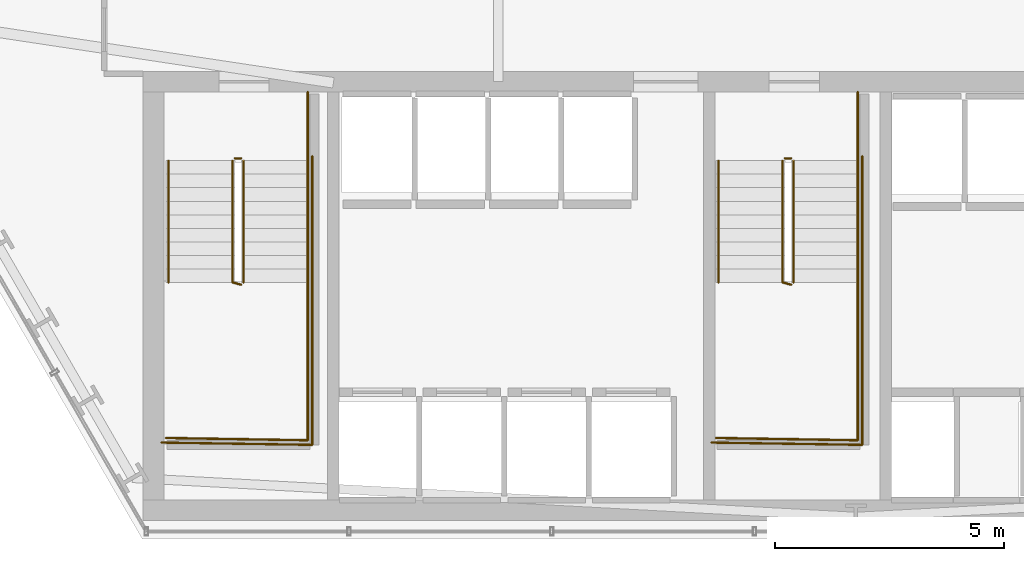
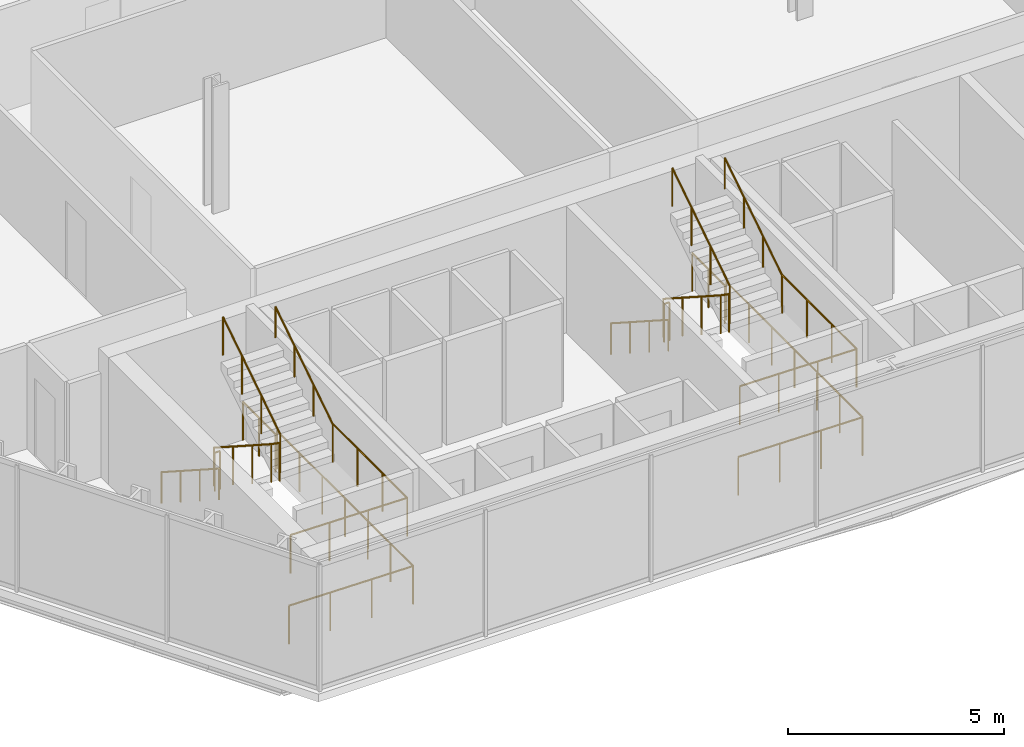
# One storey, part 30 of 32: 16 railings.
"""IFC4 building model written with IfcOpenShell, lengths in metres."""

from ifc_helpers import new_model, si_unit, direction, frame, origin, origin_2d, place, context, subcontext, project, spatial, circle, extrude, material, layer, layer_set, type_object, element, save


model = new_model("IFC4")

# Units and contexts
model_context = context("Model", 3, precision=1e-05, world=origin(), true_north=direction((0.0, 1.0)))
body_context = subcontext(model_context, "Body", "Model", "MODEL_VIEW")
ifc_project = project(units=[si_unit("LENGTHUNIT", "METRE"), si_unit("AREAUNIT", "SQUARE_METRE"), si_unit("VOLUMEUNIT", "CUBIC_METRE"), si_unit("PLANEANGLEUNIT", "RADIAN"), si_unit("MASSUNIT", "GRAM", prefix="KILO")], contexts=[model_context])

# Site, building, storey
site_placement = place(None, origin())
site = spatial("IfcSite", under=ifc_project, at=site_placement, CompositionType="ELEMENT")
building_placement = place(site_placement, origin())
building = spatial("IfcBuilding", under=site, at=building_placement, Name="Ndaravel Arena Tower", CompositionType="ELEMENT")
storey_placement = place(building_placement, frame((0.0, 0.0, 47.39990234375)))
storey = spatial("IfcBuildingStorey", under=building, at=storey_placement, Name="L09", CompositionType="ELEMENT", Elevation=47.39990234375)

# Railings
ifc_material_1 = material(Name="Steel S355", Category="steel")
ifc_layer_1 = layer(ifc_material_1, 0.06005859375)
ifc_layer_set_1 = layer_set([ifc_layer_1], Name="Steel S355")
railing_type_1 = type_object("IfcRailingType", Name="RAIL-STAIR-GD1100", PredefinedType="GUARDRAIL", material=ifc_layer_set_1)
railing_1_placement = place(storey_placement, frame((28.39990234375, 13.25, 0.190185546875)))
element("IfcRailing", 1, at=railing_1_placement, inside=storey, type_object=railing_type_1, Name="L09 ST-1 stair guard 1", PredefinedType="GUARDRAIL", context=body_context, shape_type="SweptSolid", body=[
    extrude(circle(Radius=0.02392578125, at=origin_2d()), frame((0.0, 0.0, 1.076171875), z_axis=(0.0, -0.840723540582, 0.54146461409), x_axis=(1.0, 0.0, 0.0)), (0.0, 0.0, 1.0), 3.157958984375),
    extrude(circle(Radius=0.02392578125, at=origin_2d()), frame((0.0, -2.655029296875, 2.7861328125), z_axis=(0.967074537263, -0.25449329928, 0.0), x_axis=(0.25449329928, 0.967074537263, 0.0)), (0.0, 0.0, 1.0), 0.19677734375),
    extrude(circle(Radius=0.02099609375, at=origin_2d()), origin(), (0.0, 0.0, 1.0), 1.052001953125),
    extrude(circle(Radius=0.02099609375, at=origin_2d()), frame((0.0, -0.885009765625, 0.570068359375)), (0.0, 0.0, 1.0), 1.052001953125),
    extrude(circle(Radius=0.02099609375, at=origin_2d()), frame((0.0, -1.77001953125, 1.139892578125)), (0.0, 0.0, 1.0), 1.052001953125),
    extrude(circle(Radius=0.02099609375, at=origin_2d()), frame((0.0, -2.655029296875, 1.7099609375)), (0.0, 0.0, 1.0), 1.052001953125),
    extrude(circle(Radius=0.02099609375, at=origin_2d()), frame((0.190185546875, -2.705078125, 1.7099609375)), (0.0, 0.0, 1.0), 1.052001953125),
])
railing_2_placement = place(storey_placement, frame((30.0400390625, 10.594970703125, 1.900146484375)))
element("IfcRailing", 2, at=railing_2_placement, inside=storey, type_object=railing_type_1, Name="L09 ST-1 stair guard 2", PredefinedType="GUARDRAIL", context=body_context, shape_type="SweptSolid", body=[
    extrude(circle(Radius=0.02392578125, at=origin_2d()), frame((0.0, 0.0, 1.076171875), z_axis=(0.0, -1.0, 0.0), x_axis=(1.0, 0.0, 0.0)), (0.0, 0.0, 1.0), 3.445068359375),
    extrude(circle(Radius=0.02392578125, at=origin_2d()), frame((0.0, -3.445068359375, 1.076171875), z_axis=(-0.999868861343, 0.016194447071, 0.0), x_axis=(-0.016194447071, -0.999868861343, 0.0)), (0.0, 0.0, 1.0), 3.090576171875),
    extrude(circle(Radius=0.02099609375, at=origin_2d()), origin(), (0.0, 0.0, 1.0), 1.052001953125),
    extrude(circle(Radius=0.02099609375, at=origin_2d()), frame((0.0, -1.1484375, 0.0)), (0.0, 0.0, 1.0), 1.052001953125),
    extrude(circle(Radius=0.02099609375, at=origin_2d()), frame((0.0, -2.296630859375, 0.0)), (0.0, 0.0, 1.0), 1.052001953125),
    extrude(circle(Radius=0.02099609375, at=origin_2d()), frame((0.0, -3.445068359375, 0.0)), (0.0, 0.0, 1.0), 1.052001953125),
    extrude(circle(Radius=0.02099609375, at=origin_2d()), frame((-1.030029296875, -3.428466796875, 0.0)), (0.0, 0.0, 1.0), 1.052001953125),
    extrude(circle(Radius=0.02099609375, at=origin_2d()), frame((-2.06005859375, -3.41162109375, 0.0)), (0.0, 0.0, 1.0), 1.052001953125),
    extrude(circle(Radius=0.02099609375, at=origin_2d()), frame((-3.090087890625, -3.39501953125, 0.0)), (0.0, 0.0, 1.0), 1.052001953125),
])
railing_3_placement = place(storey_placement, frame((28.639892578125, 10.594970703125, 2.090087890625)))
element("IfcRailing", 3, at=railing_3_placement, inside=storey, type_object=railing_type_1, Name="L09 ST-1 stair guard 3", PredefinedType="GUARDRAIL", context=body_context, shape_type="SweptSolid", body=[
    extrude(circle(Radius=0.02392578125, at=origin_2d()), frame((0.0, 0.0, 1.076171875), z_axis=(0.0, 0.840723540582, 0.54146461409), x_axis=(-1.0, 0.0, 0.0)), (0.0, 0.0, 1.0), 3.157958984375),
    extrude(circle(Radius=0.02099609375, at=origin_2d()), origin(), (0.0, 0.0, 1.0), 1.052001953125),
    extrude(circle(Radius=0.02099609375, at=origin_2d()), frame((0.0, 0.885009765625, 0.570068359375)), (0.0, 0.0, 1.0), 1.052001953125),
    extrude(circle(Radius=0.02099609375, at=origin_2d()), frame((0.0, 1.77001953125, 1.139892578125)), (0.0, 0.0, 1.0), 1.052001953125),
    extrude(circle(Radius=0.02099609375, at=origin_2d()), frame((0.0, 2.655029296875, 1.7099609375)), (0.0, 0.0, 1.0), 1.052001953125),
])
railing_4_placement = place(storey_placement, frame((28.449951171875, 13.300048828125, 0.0)))
element("IfcRailing", 4, at=railing_4_placement, inside=storey, type_object=railing_type_1, Name="L09 ST-1 stair guard 4", PredefinedType="GUARDRAIL", context=body_context, shape_type="SweptSolid", body=[
    extrude(circle(Radius=0.02392578125, at=origin_2d()), frame((0.0, 0.0, 1.076171875), z_axis=(1.0, 0.0, 0.0), x_axis=(0.0, 1.0, 0.0)), (0.0, 0.0, 1.0), 0.14013671875),
    extrude(circle(Radius=0.02099609375, at=origin_2d()), origin(), (0.0, 0.0, 1.0), 1.052001953125),
    extrude(circle(Radius=0.02099609375, at=origin_2d()), frame((0.14013671875, 0.0, 0.0)), (0.0, 0.0, 1.0), 1.052001953125),
])
railing_5_placement = place(storey_placement, frame((30.0400390625, 14.75, 0.0)))
element("IfcRailing", 5, at=railing_5_placement, inside=storey, type_object=railing_type_1, Name="L09 ST-1 stair guard 5", PredefinedType="GUARDRAIL", context=body_context, shape_type="SweptSolid", body=[
    extrude(circle(Radius=0.02392578125, at=origin_2d()), frame((0.0, 0.0, 1.076171875), z_axis=(0.0, -1.0, 0.0), x_axis=(1.0, 0.0, 0.0)), (0.0, 0.0, 1.0), 1.5),
    extrude(circle(Radius=0.02099609375, at=origin_2d()), origin(), (0.0, 0.0, 1.0), 1.052001953125),
    extrude(circle(Radius=0.02099609375, at=origin_2d()), frame((0.0, -0.75, 0.0)), (0.0, 0.0, 1.0), 1.052001953125),
    extrude(circle(Radius=0.02099609375, at=origin_2d()), frame((0.0, -1.5, 0.0)), (0.0, 0.0, 1.0), 1.052001953125),
])
railing_6_placement = place(storey_placement, frame((30.139892578125, 13.35009765625, 0.0)))
element("IfcRailing", 6, at=railing_6_placement, inside=storey, type_object=railing_type_1, Name="L09 ST-1 stair guard 6", PredefinedType="GUARDRAIL", context=body_context, shape_type="SweptSolid", body=[
    extrude(circle(Radius=0.02392578125, at=origin_2d()), frame((0.0, 0.0, 1.076171875), z_axis=(0.0, -1.0, 0.0), x_axis=(1.0, 0.0, 0.0)), (0.0, 0.0, 1.0), 6.300048828125),
    extrude(circle(Radius=0.02392578125, at=origin_2d()), frame((0.0, -6.300048828125, 1.076171875), z_axis=(-0.999884296952, 0.015211597839, 0.0), x_axis=(-0.015211597839, -0.999884296952, 0.0)), (0.0, 0.0, 1.0), 3.290283203125),
    extrude(circle(Radius=0.02099609375, at=origin_2d()), origin(), (0.0, 0.0, 1.0), 1.052001953125),
    extrude(circle(Radius=0.02099609375, at=origin_2d()), frame((0.0, -1.050048828125, 0.0)), (0.0, 0.0, 1.0), 1.052001953125),
    extrude(circle(Radius=0.02099609375, at=origin_2d()), frame((0.0, -2.10009765625, 0.0)), (0.0, 0.0, 1.0), 1.052001953125),
    extrude(circle(Radius=0.02099609375, at=origin_2d()), frame((0.0, -3.14990234375, 0.0)), (0.0, 0.0, 1.0), 1.052001953125),
    extrude(circle(Radius=0.02099609375, at=origin_2d()), frame((0.0, -4.199951171875, 0.0)), (0.0, 0.0, 1.0), 1.052001953125),
    extrude(circle(Radius=0.02099609375, at=origin_2d()), frame((0.0, -5.25, 0.0)), (0.0, 0.0, 1.0), 1.052001953125),
    extrude(circle(Radius=0.02099609375, at=origin_2d()), frame((0.0, -6.300048828125, 0.0)), (0.0, 0.0, 1.0), 1.052001953125),
    extrude(circle(Radius=0.02099609375, at=origin_2d()), frame((-1.0966796875, -6.283447265625, 0.0)), (0.0, 0.0, 1.0), 1.052001953125),
    extrude(circle(Radius=0.02099609375, at=origin_2d()), frame((-2.193115234375, -6.2666015625, 0.0)), (0.0, 0.0, 1.0), 1.052001953125),
    extrude(circle(Radius=0.02099609375, at=origin_2d()), frame((-3.289794921875, -6.25, 0.0)), (0.0, 0.0, 1.0), 1.052001953125),
])
railing_7_placement = place(storey_placement, frame((40.39990234375, 13.25, 0.190185546875)))
element("IfcRailing", 7, at=railing_7_placement, inside=storey, type_object=railing_type_1, Name="L09 ST-2 stair guard 1", PredefinedType="GUARDRAIL", context=body_context, shape_type="SweptSolid", body=[
    extrude(circle(Radius=0.02392578125, at=origin_2d()), frame((0.0, 0.0, 1.076171875), z_axis=(0.0, -0.840723540582, 0.54146461409), x_axis=(1.0, 0.0, 0.0)), (0.0, 0.0, 1.0), 3.157958984375),
    extrude(circle(Radius=0.02392578125, at=origin_2d()), frame((0.0, -2.655029296875, 2.7861328125), z_axis=(0.967074537263, -0.25449329928, 0.0), x_axis=(0.25449329928, 0.967074537263, 0.0)), (0.0, 0.0, 1.0), 0.19677734375),
    extrude(circle(Radius=0.02099609375, at=origin_2d()), origin(), (0.0, 0.0, 1.0), 1.052001953125),
    extrude(circle(Radius=0.02099609375, at=origin_2d()), frame((0.0, -0.885009765625, 0.570068359375)), (0.0, 0.0, 1.0), 1.052001953125),
    extrude(circle(Radius=0.02099609375, at=origin_2d()), frame((0.0, -1.77001953125, 1.139892578125)), (0.0, 0.0, 1.0), 1.052001953125),
    extrude(circle(Radius=0.02099609375, at=origin_2d()), frame((0.0, -2.655029296875, 1.7099609375)), (0.0, 0.0, 1.0), 1.052001953125),
    extrude(circle(Radius=0.02099609375, at=origin_2d()), frame((0.190185546875, -2.705078125, 1.7099609375)), (0.0, 0.0, 1.0), 1.052001953125),
])
railing_8_placement = place(storey_placement, frame((42.0400390625, 10.594970703125, 1.900146484375)))
element("IfcRailing", 8, at=railing_8_placement, inside=storey, type_object=railing_type_1, Name="L09 ST-2 stair guard 2", PredefinedType="GUARDRAIL", context=body_context, shape_type="SweptSolid", body=[
    extrude(circle(Radius=0.02392578125, at=origin_2d()), frame((0.0, 0.0, 1.076171875), z_axis=(0.0, -1.0, 0.0), x_axis=(1.0, 0.0, 0.0)), (0.0, 0.0, 1.0), 3.445068359375),
    extrude(circle(Radius=0.02392578125, at=origin_2d()), frame((0.0, -3.445068359375, 1.076171875), z_axis=(-0.999868861343, 0.016194447071, 0.0), x_axis=(-0.016194447071, -0.999868861343, 0.0)), (0.0, 0.0, 1.0), 3.090576171875),
    extrude(circle(Radius=0.02099609375, at=origin_2d()), origin(), (0.0, 0.0, 1.0), 1.052001953125),
    extrude(circle(Radius=0.02099609375, at=origin_2d()), frame((0.0, -1.1484375, 0.0)), (0.0, 0.0, 1.0), 1.052001953125),
    extrude(circle(Radius=0.02099609375, at=origin_2d()), frame((0.0, -2.296630859375, 0.0)), (0.0, 0.0, 1.0), 1.052001953125),
    extrude(circle(Radius=0.02099609375, at=origin_2d()), frame((0.0, -3.445068359375, 0.0)), (0.0, 0.0, 1.0), 1.052001953125),
    extrude(circle(Radius=0.02099609375, at=origin_2d()), frame((-1.030029296875, -3.428466796875, 0.0)), (0.0, 0.0, 1.0), 1.052001953125),
    extrude(circle(Radius=0.02099609375, at=origin_2d()), frame((-2.06005859375, -3.41162109375, 0.0)), (0.0, 0.0, 1.0), 1.052001953125),
    extrude(circle(Radius=0.02099609375, at=origin_2d()), frame((-3.090087890625, -3.39501953125, 0.0)), (0.0, 0.0, 1.0), 1.052001953125),
])
railing_9_placement = place(storey_placement, frame((40.639892578125, 10.594970703125, 2.090087890625)))
element("IfcRailing", 9, at=railing_9_placement, inside=storey, type_object=railing_type_1, Name="L09 ST-2 stair guard 3", PredefinedType="GUARDRAIL", context=body_context, shape_type="SweptSolid", body=[
    extrude(circle(Radius=0.02392578125, at=origin_2d()), frame((0.0, 0.0, 1.076171875), z_axis=(0.0, 0.840723540582, 0.54146461409), x_axis=(-1.0, 0.0, 0.0)), (0.0, 0.0, 1.0), 3.157958984375),
    extrude(circle(Radius=0.02099609375, at=origin_2d()), origin(), (0.0, 0.0, 1.0), 1.052001953125),
    extrude(circle(Radius=0.02099609375, at=origin_2d()), frame((0.0, 0.885009765625, 0.570068359375)), (0.0, 0.0, 1.0), 1.052001953125),
    extrude(circle(Radius=0.02099609375, at=origin_2d()), frame((0.0, 1.77001953125, 1.139892578125)), (0.0, 0.0, 1.0), 1.052001953125),
    extrude(circle(Radius=0.02099609375, at=origin_2d()), frame((0.0, 2.655029296875, 1.7099609375)), (0.0, 0.0, 1.0), 1.052001953125),
])
railing_10_placement = place(storey_placement, frame((40.449951171875, 13.300048828125, 0.0)))
element("IfcRailing", 10, at=railing_10_placement, inside=storey, type_object=railing_type_1, Name="L09 ST-2 stair guard 4", PredefinedType="GUARDRAIL", context=body_context, shape_type="SweptSolid", body=[
    extrude(circle(Radius=0.02392578125, at=origin_2d()), frame((0.0, 0.0, 1.076171875), z_axis=(1.0, 0.0, 0.0), x_axis=(0.0, 1.0, 0.0)), (0.0, 0.0, 1.0), 0.14013671875),
    extrude(circle(Radius=0.02099609375, at=origin_2d()), origin(), (0.0, 0.0, 1.0), 1.052001953125),
    extrude(circle(Radius=0.02099609375, at=origin_2d()), frame((0.14013671875, 0.0, 0.0)), (0.0, 0.0, 1.0), 1.052001953125),
])
railing_11_placement = place(storey_placement, frame((42.0400390625, 14.75, 0.0)))
element("IfcRailing", 11, at=railing_11_placement, inside=storey, type_object=railing_type_1, Name="L09 ST-2 stair guard 5", PredefinedType="GUARDRAIL", context=body_context, shape_type="SweptSolid", body=[
    extrude(circle(Radius=0.02392578125, at=origin_2d()), frame((0.0, 0.0, 1.076171875), z_axis=(0.0, -1.0, 0.0), x_axis=(1.0, 0.0, 0.0)), (0.0, 0.0, 1.0), 1.5),
    extrude(circle(Radius=0.02099609375, at=origin_2d()), origin(), (0.0, 0.0, 1.0), 1.052001953125),
    extrude(circle(Radius=0.02099609375, at=origin_2d()), frame((0.0, -0.75, 0.0)), (0.0, 0.0, 1.0), 1.052001953125),
    extrude(circle(Radius=0.02099609375, at=origin_2d()), frame((0.0, -1.5, 0.0)), (0.0, 0.0, 1.0), 1.052001953125),
])
railing_12_placement = place(storey_placement, frame((42.139892578125, 13.35009765625, 0.0)))
element("IfcRailing", 12, at=railing_12_placement, inside=storey, type_object=railing_type_1, Name="L09 ST-2 stair guard 6", PredefinedType="GUARDRAIL", context=body_context, shape_type="SweptSolid", body=[
    extrude(circle(Radius=0.02392578125, at=origin_2d()), frame((0.0, 0.0, 1.076171875), z_axis=(0.0, -1.0, 0.0), x_axis=(1.0, 0.0, 0.0)), (0.0, 0.0, 1.0), 6.300048828125),
    extrude(circle(Radius=0.02392578125, at=origin_2d()), frame((0.0, -6.300048828125, 1.076171875), z_axis=(-0.999884296952, 0.015211597839, 0.0), x_axis=(-0.015211597839, -0.999884296952, 0.0)), (0.0, 0.0, 1.0), 3.290283203125),
    extrude(circle(Radius=0.02099609375, at=origin_2d()), origin(), (0.0, 0.0, 1.0), 1.052001953125),
    extrude(circle(Radius=0.02099609375, at=origin_2d()), frame((0.0, -1.050048828125, 0.0)), (0.0, 0.0, 1.0), 1.052001953125),
    extrude(circle(Radius=0.02099609375, at=origin_2d()), frame((0.0, -2.10009765625, 0.0)), (0.0, 0.0, 1.0), 1.052001953125),
    extrude(circle(Radius=0.02099609375, at=origin_2d()), frame((0.0, -3.14990234375, 0.0)), (0.0, 0.0, 1.0), 1.052001953125),
    extrude(circle(Radius=0.02099609375, at=origin_2d()), frame((0.0, -4.199951171875, 0.0)), (0.0, 0.0, 1.0), 1.052001953125),
    extrude(circle(Radius=0.02099609375, at=origin_2d()), frame((0.0, -5.25, 0.0)), (0.0, 0.0, 1.0), 1.052001953125),
    extrude(circle(Radius=0.02099609375, at=origin_2d()), frame((0.0, -6.300048828125, 0.0)), (0.0, 0.0, 1.0), 1.052001953125),
    extrude(circle(Radius=0.02099609375, at=origin_2d()), frame((-1.0966796875, -6.283447265625, 0.0)), (0.0, 0.0, 1.0), 1.052001953125),
    extrude(circle(Radius=0.02099609375, at=origin_2d()), frame((-2.193115234375, -6.2666015625, 0.0)), (0.0, 0.0, 1.0), 1.052001953125),
    extrude(circle(Radius=0.02099609375, at=origin_2d()), frame((-3.289794921875, -6.25, 0.0)), (0.0, 0.0, 1.0), 1.052001953125),
])
ifc_material_2 = material(Name="Steel S355", Category="steel")
ifc_layer_2 = layer(ifc_material_2, 0.050048828125)
ifc_layer_set_2 = layer_set([ifc_layer_2], Name="Steel S355")
railing_type_2 = type_object("IfcRailingType", Name="RAIL-STAIR-HR920", PredefinedType="HANDRAIL", material=ifc_layer_set_2)
railing_13_placement = place(storey_placement, frame((27.0, 13.25, 0.190185546875)))
element("IfcRailing", 13, at=railing_13_placement, inside=storey, type_object=railing_type_2, Name="L09 ST-1 stair handrail 1", PredefinedType="HANDRAIL", context=body_context, shape_type="SweptSolid", body=[
    extrude(circle(Radius=0.02392578125, at=origin_2d()), frame((0.0, 0.0, 0.8759765625), z_axis=(0.0, -0.840723540582, 0.54146461409), x_axis=(1.0, 0.0, 0.0)), (0.0, 0.0, 1.0), 3.157958984375),
    extrude(circle(Radius=0.02099609375, at=origin_2d()), origin(), (0.0, 0.0, 1.0), 0.851806640625),
    extrude(circle(Radius=0.02099609375, at=origin_2d()), frame((0.0, -0.885009765625, 0.570068359375)), (0.0, 0.0, 1.0), 0.851806640625),
    extrude(circle(Radius=0.02099609375, at=origin_2d()), frame((0.0, -1.77001953125, 1.139892578125)), (0.0, 0.0, 1.0), 0.851806640625),
    extrude(circle(Radius=0.02099609375, at=origin_2d()), frame((0.0, -2.655029296875, 1.7099609375)), (0.0, 0.0, 1.0), 0.851806640625),
])
railing_14_placement = place(storey_placement, frame((30.0400390625, 10.594970703125, 2.090087890625)))
element("IfcRailing", 14, at=railing_14_placement, inside=storey, type_object=railing_type_2, Name="L09 ST-1 stair handrail 2", PredefinedType="HANDRAIL", context=body_context, shape_type="SweptSolid", body=[
    extrude(circle(Radius=0.02392578125, at=origin_2d()), frame((0.0, 0.0, 0.8759765625), z_axis=(0.0, 0.840723540582, 0.54146461409), x_axis=(-1.0, 0.0, 0.0)), (0.0, 0.0, 1.0), 3.157958984375),
    extrude(circle(Radius=0.02099609375, at=origin_2d()), origin(), (0.0, 0.0, 1.0), 0.851806640625),
    extrude(circle(Radius=0.02099609375, at=origin_2d()), frame((0.0, 0.885009765625, 0.570068359375)), (0.0, 0.0, 1.0), 0.851806640625),
    extrude(circle(Radius=0.02099609375, at=origin_2d()), frame((0.0, 1.77001953125, 1.139892578125)), (0.0, 0.0, 1.0), 0.851806640625),
    extrude(circle(Radius=0.02099609375, at=origin_2d()), frame((0.0, 2.655029296875, 1.7099609375)), (0.0, 0.0, 1.0), 0.851806640625),
])
railing_15_placement = place(storey_placement, frame((39.0, 13.25, 0.190185546875)))
element("IfcRailing", 15, at=railing_15_placement, inside=storey, type_object=railing_type_2, Name="L09 ST-2 stair handrail 1", PredefinedType="HANDRAIL", context=body_context, shape_type="SweptSolid", body=[
    extrude(circle(Radius=0.02392578125, at=origin_2d()), frame((0.0, 0.0, 0.8759765625), z_axis=(0.0, -0.840723540582, 0.54146461409), x_axis=(1.0, 0.0, 0.0)), (0.0, 0.0, 1.0), 3.157958984375),
    extrude(circle(Radius=0.02099609375, at=origin_2d()), origin(), (0.0, 0.0, 1.0), 0.851806640625),
    extrude(circle(Radius=0.02099609375, at=origin_2d()), frame((0.0, -0.885009765625, 0.570068359375)), (0.0, 0.0, 1.0), 0.851806640625),
    extrude(circle(Radius=0.02099609375, at=origin_2d()), frame((0.0, -1.77001953125, 1.139892578125)), (0.0, 0.0, 1.0), 0.851806640625),
    extrude(circle(Radius=0.02099609375, at=origin_2d()), frame((0.0, -2.655029296875, 1.7099609375)), (0.0, 0.0, 1.0), 0.851806640625),
])
railing_16_placement = place(storey_placement, frame((42.0400390625, 10.594970703125, 2.090087890625)))
element("IfcRailing", 16, at=railing_16_placement, inside=storey, type_object=railing_type_2, Name="L09 ST-2 stair handrail 2", PredefinedType="HANDRAIL", context=body_context, shape_type="SweptSolid", body=[
    extrude(circle(Radius=0.02392578125, at=origin_2d()), frame((0.0, 0.0, 0.8759765625), z_axis=(0.0, 0.840723540582, 0.54146461409), x_axis=(-1.0, 0.0, 0.0)), (0.0, 0.0, 1.0), 3.157958984375),
    extrude(circle(Radius=0.02099609375, at=origin_2d()), origin(), (0.0, 0.0, 1.0), 0.851806640625),
    extrude(circle(Radius=0.02099609375, at=origin_2d()), frame((0.0, 0.885009765625, 0.570068359375)), (0.0, 0.0, 1.0), 0.851806640625),
    extrude(circle(Radius=0.02099609375, at=origin_2d()), frame((0.0, 1.77001953125, 1.139892578125)), (0.0, 0.0, 1.0), 0.851806640625),
    extrude(circle(Radius=0.02099609375, at=origin_2d()), frame((0.0, 2.655029296875, 1.7099609375)), (0.0, 0.0, 1.0), 0.851806640625),
])

save(model, "model.ifc")
